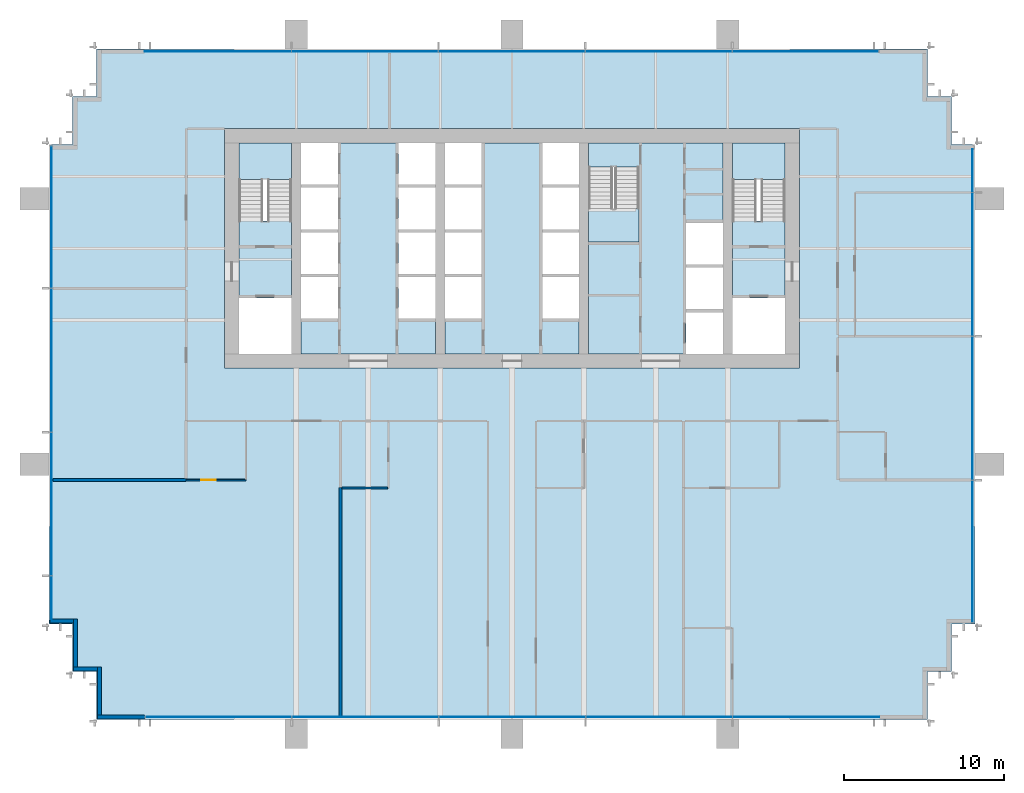
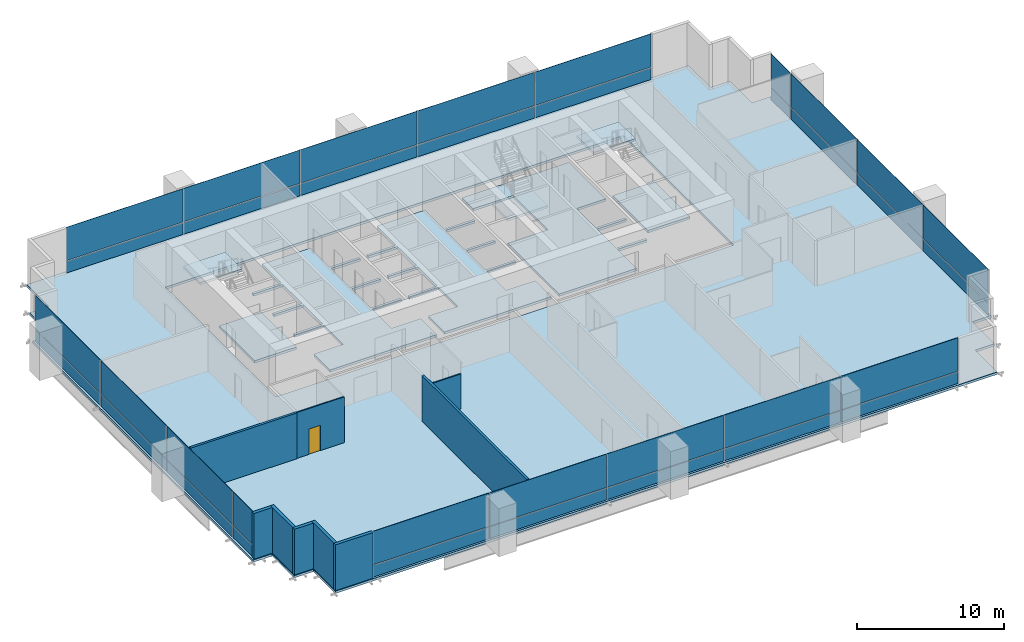
# One storey, part 9 of 14: 36 plates, 9 slabs, 9 walls, 1 door, 1 opening, 7 elements without a shape of their own.
"""IFC4 building model written with IfcOpenShell, lengths in metres."""

import ifcopenshell
import ifcopenshell.guid

model = None  # the IFC model being written
_history = None  # IfcOwnerHistory: only IFC2X3 demands one
_inside = {}  # id of a spatial element -> (the spatial element, [elements in it])
_under = {}  # id of a project, library or spatial element -> (it, [spatial elements below it])
_declared = {}  # id of a project -> (the project, [libraries it declares])
_typed = {}  # id of a type object -> (the type object, [elements of that type])
_made_of = {}  # id of a material, layer set ... -> (it, [elements and type objects made of it])


def new_model(schema):
    """Start an empty IFC model of exactly this schema.

    Asked for "IFC4X3", IfcOpenShell would pick the latest addendum, in which some entities
    have other attributes; the version numbers below select the first issue.
    IFC2X3 requires an IfcOwnerHistory on every rooted entity: one is made here for all.
    """
    global model, _history
    if schema == "IFC4X3":
        model = ifcopenshell.file(schema_version=(4, 3, 0, 0))
    else:
        model = ifcopenshell.file(schema=schema)
    _inside.clear()
    _under.clear()
    _declared.clear()
    _typed.clear()
    _made_of.clear()
    _history = None
    if model.schema == "IFC2X3":
        org = make("IfcOrganization", Name="unknown")
        user = make(
            "IfcPersonAndOrganization",
            ThePerson=make("IfcPerson", FamilyName="unknown"),
            TheOrganization=org,
        )
        app = make(
            "IfcApplication",
            ApplicationDeveloper=org,
            Version="unknown",
            ApplicationFullName="unknown",
            ApplicationIdentifier="unknown",
        )
        _history = make(
            "IfcOwnerHistory",
            OwningUser=user,
            OwningApplication=app,
            ChangeAction="ADDED",
            CreationDate=0,
        )
    return model


def make(cls, **values):
    """One entity of the class cls with the attributes given. An attribute that is None is left unset."""
    return model.create_entity(
        cls, **{name: value for name, value in values.items() if value is not None}
    )


def rooted(cls, **values):
    """An entity with a GlobalId (a new one), such as an element, a storey or a relation."""
    return make(cls, GlobalId=ifcopenshell.guid.new(), OwnerHistory=_history, **values)


def si_unit(unit_type, name, prefix=None):
    """IfcSIUnit, for example si_unit("LENGTHUNIT", "METRE", prefix="MILLI")."""
    return make("IfcSIUnit", UnitType=unit_type, Prefix=prefix, Name=name)


def assignment(units):
    """IfcUnitAssignment: the units of a project."""
    return None if units is None else make("IfcUnitAssignment", Units=units)


def point(xyz):
    """IfcCartesianPoint."""
    return None if xyz is None else make("IfcCartesianPoint", Coordinates=xyz)


def direction(xyz):
    """IfcDirection."""
    return None if xyz is None else make("IfcDirection", DirectionRatios=xyz)


def frame(location, z_axis=None, x_axis=None):
    """IfcAxis2Placement3D, a coordinate frame: its origin and axes. An axis left out is left unset."""
    return make(
        "IfcAxis2Placement3D",
        Location=point(location),
        Axis=direction(z_axis),
        RefDirection=direction(x_axis),
    )


def frame_2d(location, x_axis=None):
    """IfcAxis2Placement2D, a coordinate frame in the plane: its origin and x axis."""
    return make(
        "IfcAxis2Placement2D", Location=point(location), RefDirection=direction(x_axis)
    )


def origin():
    """The frame at (0, 0, 0) with its axes left unset."""
    return frame((0.0, 0.0, 0.0))


def origin_2d():
    """The frame at (0, 0) in the plane with its x axis left unset."""
    return frame_2d((0.0, 0.0))


def place(relative_to, where):
    """IfcLocalPlacement: puts the frame where relative to a parent placement (None: the world)."""
    return make(
        "IfcLocalPlacement", PlacementRelTo=relative_to, RelativePlacement=where
    )


def context(
    kind, dimensions, precision=None, world=None, true_north=None, identifier=None
):
    """IfcGeometricRepresentationContext, for example the 3D "Model" context."""
    return make(
        "IfcGeometricRepresentationContext",
        ContextIdentifier=identifier,
        ContextType=kind,
        CoordinateSpaceDimension=dimensions,
        Precision=precision,
        WorldCoordinateSystem=world,
        TrueNorth=true_north,
    )


def subcontext(parent, identifier, kind, view, scale=None):
    """IfcGeometricRepresentationSubContext, for example "Body" below "Model"."""
    return make(
        "IfcGeometricRepresentationSubContext",
        ContextIdentifier=identifier,
        ContextType=kind,
        ParentContext=parent,
        TargetScale=scale,
        TargetView=view,
    )


def project(units=None, contexts=None):
    """IfcProject with its units and contexts."""
    return rooted(
        "IfcProject",
        Name="project",
        RepresentationContexts=contexts,
        UnitsInContext=assignment(units),
    )


def spatial(cls, under=None, at=None, **own):
    """A site, building, storey or space (cls), placed at a placement, below another one or the project."""
    s = rooted(cls, ObjectPlacement=at, **own)
    if under is not None:
        _under.setdefault(under.id(), (under, []))[1].append(s)
    return s


def polyline(points):
    """IfcPolyline through the points."""
    return make("IfcPolyline", Points=[point(p) for p in points])


def profile(cls, at=None, kind="AREA", **sizes):
    """A parametric profile (cls). Its sizes go by their IFC names, for example OverallWidth=200.0."""
    return make(cls, ProfileType=kind, Position=at, **sizes)


def rectangle(**sizes):
    """IfcRectangleProfileDef."""
    return profile("IfcRectangleProfileDef", **sizes)


def outline(outer, holes=None, kind="AREA"):
    """IfcArbitraryClosedProfileDef: a profile drawn as a closed curve; with holes, ...WithVoids."""
    if holes is None:
        return make("IfcArbitraryClosedProfileDef", ProfileType=kind, OuterCurve=outer)
    return make(
        "IfcArbitraryProfileDefWithVoids",
        ProfileType=kind,
        OuterCurve=outer,
        InnerCurves=holes,
    )


def extrude(swept, where, along, depth):
    """IfcExtrudedAreaSolid: the profile swept, set in the frame where, extruded along a direction by depth."""
    return make(
        "IfcExtrudedAreaSolid",
        SweptArea=swept,
        Position=where,
        ExtrudedDirection=direction(along),
        Depth=depth,
    )


def shape(context_of_items, identifier, shape_type, items):
    """IfcShapeRepresentation: the items that make up one representation, for example the "Body"."""
    return make(
        "IfcShapeRepresentation",
        ContextOfItems=context_of_items,
        RepresentationIdentifier=identifier,
        RepresentationType=shape_type,
        Items=items,
    )


def material(Name=None, Category=None):
    """IfcMaterial."""
    return make("IfcMaterial", Name=Name, Category=Category)


def layer(
    of_material, thickness, ventilated=None, Name=None, Category=None, Priority=None
):
    """IfcMaterialLayer: one layer of a wall or slab, of a material (None: an air gap)."""
    return make(
        "IfcMaterialLayer",
        Material=of_material,
        LayerThickness=thickness,
        IsVentilated=ventilated,
        Name=Name,
        Category=Category,
        Priority=Priority,
    )


def layer_set(layers, Name=None):
    """IfcMaterialLayerSet."""
    return make("IfcMaterialLayerSet", MaterialLayers=layers, LayerSetName=Name)


def made_of(thing, what):
    """Note that an element or type object is made of a material, layer set ...; save() writes the relation."""
    if what is not None:
        _made_of.setdefault(what.id(), (what, []))[1].append(thing)
    return thing


def type_object(cls, material=None, **own):
    """A type object (cls), such as IfcWallType, which elements share."""
    return made_of(rooted(cls, **own), material)


def element(
    cls,
    number,
    at=None,
    inside=None,
    cuts=None,
    type_object=None,
    material=None,
    context=None,
    identifier="Body",
    shape_type=None,
    held_by="IfcProductDefinitionShape",
    body=None,
    shapes=None,
    **own,
):
    """One element of the class cls, such as IfcWall. Its Tag is "e" and its number.

    at: its placement. inside: the storey or other place that contains it. cuts: it is an
    opening in that element (IfcRelVoidsElement). A single representation is given by context,
    identifier, shape_type and body (its items); several are given by shapes. held_by: the class
    of the entity that holds the representations. save() writes the other relations.
    """
    e = rooted(cls, Tag="e%d" % number, ObjectPlacement=at, **own)
    if body is not None:
        shapes = [shape(context, identifier, shape_type, body)]
    if shapes is not None:
        e.Representation = make(held_by, Representations=shapes)
    if inside is not None:
        _inside.setdefault(inside.id(), (inside, []))[1].append(e)
    if cuts is not None:
        rooted(
            "IfcRelVoidsElement", RelatingBuildingElement=cuts, RelatedOpeningElement=e
        )
    if type_object is not None:
        _typed.setdefault(type_object.id(), (type_object, []))[1].append(e)
    return made_of(e, material)


def fill(opening, filler):
    """IfcRelFillsElement: the door or window that sits in an opening."""
    return rooted(
        "IfcRelFillsElement",
        RelatingOpeningElement=opening,
        RelatedBuildingElement=filler,
    )


def aggregate(whole, parts):
    """IfcRelAggregates: a whole, such as a stair, and the parts it consists of."""
    return rooted("IfcRelAggregates", RelatingObject=whole, RelatedObjects=parts)


def save(model, path):
    """Write the relations noted so far, then the file.

    IfcRelAggregates (storeys below a building ...), IfcRelContainedInSpatialStructure (elements
    in a storey), IfcRelDefinesByType, IfcRelAssociatesMaterial and IfcRelDeclares: one each for
    every whole, place, type object, material and project.
    """
    for whole, parts in _under.values():
        aggregate(whole, parts)
    for where, things in _inside.values():
        rooted(
            "IfcRelContainedInSpatialStructure",
            RelatedElements=things,
            RelatingStructure=where,
        )
    for kind, things in _typed.values():
        rooted("IfcRelDefinesByType", RelatedObjects=things, RelatingType=kind)
    for what, things in _made_of.values():
        rooted("IfcRelAssociatesMaterial", RelatedObjects=things, RelatingMaterial=what)
    for by, libraries in _declared.values():
        rooted("IfcRelDeclares", RelatingContext=by, RelatedDefinitions=libraries)
    model.write(path)


model = new_model("IFC4")

# Units and contexts
model_context = context("Model", 3, precision=1e-05, world=origin(), true_north=direction((0.0, 1.0)))
body_context = subcontext(model_context, "Body", "Model", "MODEL_VIEW")
ifc_project = project(units=[si_unit("LENGTHUNIT", "METRE"), si_unit("AREAUNIT", "SQUARE_METRE"), si_unit("VOLUMEUNIT", "CUBIC_METRE"), si_unit("PLANEANGLEUNIT", "RADIAN"), si_unit("MASSUNIT", "GRAM", prefix="KILO")], contexts=[model_context])

# Site, building, storey
site_placement = place(None, origin())
site = spatial("IfcSite", under=ifc_project, at=site_placement, CompositionType="ELEMENT")
building_placement = place(site_placement, origin())
building = spatial("IfcBuilding", under=site, at=building_placement, Name="Rattan Terrace Tower", CompositionType="ELEMENT")
storey_placement = place(building_placement, frame((0.0, 0.0, 154.10009765625)))
storey = spatial("IfcBuildingStorey", under=building, at=storey_placement, Name="L35", CompositionType="ELEMENT", Elevation=154.10009765625)

# Stair, slab
ifc_material_1 = material(Name="Concrete C40/50", Category="concrete")
stair_type = type_object("IfcStairType", Name="Core exit stair 1500", PredefinedType="HALF_TURN_STAIR", material=ifc_material_1)
stair_1_placement = place(storey_placement, origin())
stair_1 = element("IfcStair", 1, at=stair_1_placement, inside=storey, type_object=stair_type, Name="L35 exit stair 1", PredefinedType="HALF_TURN_STAIR")
ifc_material_2 = material(Name="Concrete C40/50", Category="concrete")
ifc_layer_1 = layer(ifc_material_2, 0.199951171875)
ifc_layer_set_1 = layer_set([ifc_layer_1], Name="Core exit stair landing")
slab_type_1 = type_object("IfcSlabType", Name="Core exit stair landing", PredefinedType="LANDING", material=ifc_layer_set_1)
slab_1_placement = place(storey_placement, frame((0.0, 0.0, 1.7998046875)))
slab_1 = element("IfcSlab", 2, at=slab_1_placement, type_object=slab_type_1, Name="S1 landing 1", PredefinedType="LANDING", context=body_context, shape_type="SweptSolid", body=[
    extrude(outline(polyline([(-13.800048828125, 4.300048828125), (-13.800048828125, 6.60009765625), (-17.10009765625, 6.60009765625), (-17.10009765625, 4.300048828125), (-13.800048828125, 4.300048828125)])), origin(), (0.0, 0.0, 1.0), 0.2001953125),
])
aggregate(stair_1, [slab_1])

stair_2_placement = place(storey_placement, origin())
stair_2 = element("IfcStair", 3, at=stair_2_placement, inside=storey, type_object=stair_type, Name="L35 exit stair 2", PredefinedType="HALF_TURN_STAIR")
slab_2_placement = place(storey_placement, frame((0.0, 0.0, 1.7998046875)))
slab_2 = element("IfcSlab", 4, at=slab_2_placement, type_object=slab_type_1, Name="S2 landing 1", PredefinedType="LANDING", context=body_context, shape_type="SweptSolid", body=[
    extrude(outline(polyline([(17.10009765625, 4.300048828125), (17.10009765625, 6.60009765625), (13.800048828125, 6.60009765625), (13.800048828125, 4.300048828125), (17.10009765625, 4.300048828125)])), origin(), (0.0, 0.0, 1.0), 0.2001953125),
])
aggregate(stair_2, [slab_2])

stair_3_placement = place(storey_placement, origin())
stair_3 = element("IfcStair", 5, at=stair_3_placement, inside=storey, type_object=stair_type, Name="L35 exit stair 3", PredefinedType="HALF_TURN_STAIR")
slab_3_placement = place(storey_placement, frame((0.0, 0.0, 1.7998046875)))
slab_3 = element("IfcSlab", 6, at=slab_3_placement, type_object=slab_type_1, Name="S3 landing 1", PredefinedType="LANDING", context=body_context, shape_type="SweptSolid", body=[
    extrude(outline(polyline([(4.800048828125, 2.5), (4.800048828125, 0.39990234375), (7.949951171875, 0.39990234375), (7.949951171875, 2.5), (4.800048828125, 2.5)])), origin(), (0.0, 0.0, 1.0), 0.2001953125),
])
aggregate(stair_3, [slab_3])

# Curtain wall, plates
ifc_material_3 = material(Name="Aluminium and glass", Category="aluminium")
curtain_wall_type = type_object("IfcCurtainWallType", Name="Facade Unitised Curtain Wall", PredefinedType="NOTDEFINED", material=ifc_material_3)
curtain_wall_1_placement = place(storey_placement, origin())
curtain_wall_1 = element("IfcCurtainWall", 7, at=curtain_wall_1_placement, inside=storey, type_object=curtain_wall_type, Name="Curtain wall L35-1", PredefinedType="NOTDEFINED")
ifc_material_4 = material(Name="Aluminium insulated spandrel panel", Category="aluminium")
ifc_layer_2 = layer(ifc_material_4, 0.028076171875)
ifc_layer_set_2 = layer_set([ifc_layer_2], Name="Facade CW Spandrel Panel")
plate_type_1 = type_object("IfcPlateType", Name="Facade CW Spandrel Panel", PredefinedType="CURTAIN_PANEL", material=ifc_layer_set_2)
plate_1_placement = place(storey_placement, frame((28.830078125, -18.96240234375, 0.0), z_axis=(0.0, 0.0, 1.0), x_axis=(0.0, 1.0, 0.0)))
plate_1 = element("IfcPlate", 8, at=plate_1_placement, type_object=plate_type_1, Name="Panel cwl-L35-001.1.1", PredefinedType="CURTAIN_PANEL", context=body_context, shape_type="SweptSolid", body=[
    extrude(rectangle(XDim=8.864990234375, YDim=0.028076171875, at=origin_2d()), origin(), (0.0, 0.0, 1.0), 0.969970703125),
])
plate_2_placement = place(storey_placement, frame((28.830078125, -10.0, 0.0), z_axis=(0.0, 0.0, 1.0), x_axis=(0.0, 1.0, 0.0)))
plate_2 = element("IfcPlate", 9, at=plate_2_placement, type_object=plate_type_1, Name="Panel cwl-L35-001.2.1", PredefinedType="CURTAIN_PANEL", context=body_context, shape_type="SweptSolid", body=[
    extrude(rectangle(XDim=8.93994140625, YDim=0.028076171875, at=origin_2d()), origin(), (0.0, 0.0, 1.0), 0.969970703125),
])
plate_3_placement = place(storey_placement, frame((28.830078125, -1.0, 0.0), z_axis=(0.0, 0.0, 1.0), x_axis=(0.0, 1.0, 0.0)))
plate_3 = element("IfcPlate", 10, at=plate_3_placement, type_object=plate_type_1, Name="Panel cwl-L35-001.3.1", PredefinedType="CURTAIN_PANEL", context=body_context, shape_type="SweptSolid", body=[
    extrude(rectangle(XDim=8.93994140625, YDim=0.028076171875, at=origin_2d()), origin(), (0.0, 0.0, 1.0), 0.969970703125),
])
plate_4_placement = place(storey_placement, frame((28.830078125, 4.867431640625, 0.0), z_axis=(0.0, 0.0, 1.0), x_axis=(0.0, 1.0, 0.0)))
plate_4 = element("IfcPlate", 11, at=plate_4_placement, type_object=plate_type_1, Name="Panel cwl-L35-001.4.1", PredefinedType="CURTAIN_PANEL", context=body_context, shape_type="SweptSolid", body=[
    extrude(rectangle(XDim=2.675048828125, YDim=0.028076171875, at=origin_2d()), origin(), (0.0, 0.0, 1.0), 0.969970703125),
])

curtain_wall_2_placement = place(storey_placement, origin())
curtain_wall_2 = element("IfcCurtainWall", 12, at=curtain_wall_2_placement, inside=storey, type_object=curtain_wall_type, Name="Curtain wall L35-2", PredefinedType="NOTDEFINED")
plate_5_placement = place(storey_placement, frame((18.384521484375, 12.330078125, 0.0), z_axis=(0.0, 0.0, 1.0), x_axis=(-1.0, 0.0, 0.0)))
plate_5 = element("IfcPlate", 13, at=plate_5_placement, type_object=plate_type_1, Name="Panel cwl-L35-002.1.1", PredefinedType="CURTAIN_PANEL", context=body_context, shape_type="SweptSolid", body=[
    extrude(rectangle(XDim=9.111083984375, YDim=0.028076171875, at=origin_2d()), origin(), (0.0, 0.0, 1.0), 0.969970703125),
])
plate_6_placement = place(storey_placement, frame((9.198486328125, 12.330078125, 0.0), z_axis=(0.0, 0.0, 1.0), x_axis=(-1.0, 0.0, 0.0)))
plate_6 = element("IfcPlate", 14, at=plate_6_placement, type_object=plate_type_1, Name="Panel cwl-L35-002.2.1", PredefinedType="CURTAIN_PANEL", context=body_context, shape_type="SweptSolid", body=[
    extrude(rectangle(XDim=9.14111328125, YDim=0.028076171875, at=origin_2d()), origin(), (0.0, 0.0, 1.0), 0.969970703125),
])
plate_7_placement = place(storey_placement, frame((-0.00244140625, 12.330078125, 0.0), z_axis=(0.0, 0.0, 1.0), x_axis=(-1.0, 0.0, 0.0)))
plate_7 = element("IfcPlate", 15, at=plate_7_placement, type_object=plate_type_1, Name="Panel cwl-L35-002.3.1", PredefinedType="CURTAIN_PANEL", context=body_context, shape_type="SweptSolid", body=[
    extrude(rectangle(XDim=9.14111328125, YDim=0.028076171875, at=origin_2d()), origin(), (0.0, 0.0, 1.0), 0.969970703125),
])
plate_8_placement = place(storey_placement, frame((-9.20361328125, 12.330078125, 0.0), z_axis=(0.0, 0.0, 1.0), x_axis=(-1.0, 0.0, 0.0)))
plate_8 = element("IfcPlate", 16, at=plate_8_placement, type_object=plate_type_1, Name="Panel cwl-L35-002.4.1", PredefinedType="CURTAIN_PANEL", context=body_context, shape_type="SweptSolid", body=[
    extrude(rectangle(XDim=9.14111328125, YDim=0.028076171875, at=origin_2d()), origin(), (0.0, 0.0, 1.0), 0.969970703125),
])
plate_9_placement = place(storey_placement, frame((-18.4169921875, 12.330078125, 0.0), z_axis=(0.0, 0.0, 1.0), x_axis=(-1.0, 0.0, 0.0)))
plate_9 = element("IfcPlate", 17, at=plate_9_placement, type_object=plate_type_1, Name="Panel cwl-L35-002.5.1", PredefinedType="CURTAIN_PANEL", context=body_context, shape_type="SweptSolid", body=[
    extrude(rectangle(XDim=9.166015625, YDim=0.028076171875, at=origin_2d()), origin(), (0.0, 0.0, 1.0), 0.969970703125),
])

curtain_wall_3_placement = place(storey_placement, origin())
curtain_wall_3 = element("IfcCurtainWall", 18, at=curtain_wall_3_placement, inside=storey, type_object=curtain_wall_type, Name="Curtain wall L35-3", PredefinedType="NOTDEFINED")
plate_10_placement = place(storey_placement, frame((-28.830078125, 1.96240234375, 0.0), z_axis=(0.0, 0.0, 1.0), x_axis=(0.0, -1.0, 0.0)))
plate_10 = element("IfcPlate", 19, at=plate_10_placement, type_object=plate_type_1, Name="Panel cwl-L35-003.1.1", PredefinedType="CURTAIN_PANEL", context=body_context, shape_type="SweptSolid", body=[
    extrude(rectangle(XDim=8.864990234375, YDim=0.028076171875, at=origin_2d()), origin(), (0.0, 0.0, 1.0), 0.969970703125),
])
plate_11_placement = place(storey_placement, frame((-28.830078125, -7.0, 0.0), z_axis=(0.0, 0.0, 1.0), x_axis=(0.0, -1.0, 0.0)))
plate_11 = element("IfcPlate", 20, at=plate_11_placement, type_object=plate_type_1, Name="Panel cwl-L35-003.2.1", PredefinedType="CURTAIN_PANEL", context=body_context, shape_type="SweptSolid", body=[
    extrude(rectangle(XDim=8.93994140625, YDim=0.028076171875, at=origin_2d()), origin(), (0.0, 0.0, 1.0), 0.969970703125),
])
plate_12_placement = place(storey_placement, frame((-28.830078125, -16.0, 0.0), z_axis=(0.0, 0.0, 1.0), x_axis=(0.0, -1.0, 0.0)))
plate_12 = element("IfcPlate", 21, at=plate_12_placement, type_object=plate_type_1, Name="Panel cwl-L35-003.3.1", PredefinedType="CURTAIN_PANEL", context=body_context, shape_type="SweptSolid", body=[
    extrude(rectangle(XDim=8.93994140625, YDim=0.028076171875, at=origin_2d()), origin(), (0.0, 0.0, 1.0), 0.969970703125),
])
plate_13_placement = place(storey_placement, frame((-28.830078125, -21.867431640625, 0.0), z_axis=(0.0, 0.0, 1.0), x_axis=(0.0, -1.0, 0.0)))
plate_13 = element("IfcPlate", 22, at=plate_13_placement, type_object=plate_type_1, Name="Panel cwl-L35-003.4.1", PredefinedType="CURTAIN_PANEL", context=body_context, shape_type="SweptSolid", body=[
    extrude(rectangle(XDim=2.675048828125, YDim=0.028076171875, at=origin_2d()), origin(), (0.0, 0.0, 1.0), 0.969970703125),
])

curtain_wall_4_placement = place(storey_placement, origin())
curtain_wall_4 = element("IfcCurtainWall", 23, at=curtain_wall_4_placement, inside=storey, type_object=curtain_wall_type, Name="Curtain wall L35-4", PredefinedType="NOTDEFINED")
plate_14_placement = place(storey_placement, frame((-18.384521484375, -29.330078125, 0.0), z_axis=(0.0, 0.0, 1.0), x_axis=(1.0, 0.0, 0.0)))
plate_14 = element("IfcPlate", 24, at=plate_14_placement, type_object=plate_type_1, Name="Panel cwl-L35-004.1.1", PredefinedType="CURTAIN_PANEL", context=body_context, shape_type="SweptSolid", body=[
    extrude(rectangle(XDim=9.111083984375, YDim=0.028076171875, at=origin_2d()), origin(), (0.0, 0.0, 1.0), 0.969970703125),
])
plate_15_placement = place(storey_placement, frame((-9.198486328125, -29.330078125, 0.0), z_axis=(0.0, 0.0, 1.0), x_axis=(1.0, 0.0, 0.0)))
plate_15 = element("IfcPlate", 25, at=plate_15_placement, type_object=plate_type_1, Name="Panel cwl-L35-004.2.1", PredefinedType="CURTAIN_PANEL", context=body_context, shape_type="SweptSolid", body=[
    extrude(rectangle(XDim=9.14111328125, YDim=0.028076171875, at=origin_2d()), origin(), (0.0, 0.0, 1.0), 0.969970703125),
])
plate_16_placement = place(storey_placement, frame((0.00244140625, -29.330078125, 0.0), z_axis=(0.0, 0.0, 1.0), x_axis=(1.0, 0.0, 0.0)))
plate_16 = element("IfcPlate", 26, at=plate_16_placement, type_object=plate_type_1, Name="Panel cwl-L35-004.3.1", PredefinedType="CURTAIN_PANEL", context=body_context, shape_type="SweptSolid", body=[
    extrude(rectangle(XDim=9.14111328125, YDim=0.028076171875, at=origin_2d()), origin(), (0.0, 0.0, 1.0), 0.969970703125),
])
plate_17_placement = place(storey_placement, frame((9.20361328125, -29.330078125, 0.0), z_axis=(0.0, 0.0, 1.0), x_axis=(1.0, 0.0, 0.0)))
plate_17 = element("IfcPlate", 27, at=plate_17_placement, type_object=plate_type_1, Name="Panel cwl-L35-004.4.1", PredefinedType="CURTAIN_PANEL", context=body_context, shape_type="SweptSolid", body=[
    extrude(rectangle(XDim=9.14111328125, YDim=0.028076171875, at=origin_2d()), origin(), (0.0, 0.0, 1.0), 0.969970703125),
])
plate_18_placement = place(storey_placement, frame((18.4169921875, -29.330078125, 0.0), z_axis=(0.0, 0.0, 1.0), x_axis=(1.0, 0.0, 0.0)))
plate_18 = element("IfcPlate", 28, at=plate_18_placement, type_object=plate_type_1, Name="Panel cwl-L35-004.5.1", PredefinedType="CURTAIN_PANEL", context=body_context, shape_type="SweptSolid", body=[
    extrude(rectangle(XDim=9.166015625, YDim=0.028076171875, at=origin_2d()), origin(), (0.0, 0.0, 1.0), 0.969970703125),
])

# Plate
ifc_material_5 = material(Name="Clear low-iron glass", Category="glass")
ifc_layer_3 = layer(ifc_material_5, 0.028076171875)
ifc_layer_set_3 = layer_set([ifc_layer_3], Name="Facade CW Vision Panel")
plate_type_2 = type_object("IfcPlateType", Name="Facade CW Vision Panel", PredefinedType="CURTAIN_PANEL", material=ifc_layer_set_3)
plate_19_placement = place(storey_placement, frame((28.830078125, -18.96240234375, 1.02978515625), z_axis=(0.0, 0.0, 1.0), x_axis=(0.0, 1.0, 0.0)))
plate_19 = element("IfcPlate", 29, at=plate_19_placement, type_object=plate_type_2, Name="Panel cwl-L35-001.1.2", PredefinedType="CURTAIN_PANEL", context=body_context, shape_type="SweptSolid", body=[
    extrude(rectangle(XDim=8.864990234375, YDim=0.028076171875, at=origin_2d()), origin(), (0.0, 0.0, 1.0), 2.77001953125),
])

plate_20_placement = place(storey_placement, frame((28.830078125, -10.0, 1.02978515625), z_axis=(0.0, 0.0, 1.0), x_axis=(0.0, 1.0, 0.0)))
plate_20 = element("IfcPlate", 30, at=plate_20_placement, type_object=plate_type_2, Name="Panel cwl-L35-001.2.2", PredefinedType="CURTAIN_PANEL", context=body_context, shape_type="SweptSolid", body=[
    extrude(rectangle(XDim=8.93994140625, YDim=0.028076171875, at=origin_2d()), origin(), (0.0, 0.0, 1.0), 2.77001953125),
])

plate_21_placement = place(storey_placement, frame((28.830078125, -1.0, 1.02978515625), z_axis=(0.0, 0.0, 1.0), x_axis=(0.0, 1.0, 0.0)))
plate_21 = element("IfcPlate", 31, at=plate_21_placement, type_object=plate_type_2, Name="Panel cwl-L35-001.3.2", PredefinedType="CURTAIN_PANEL", context=body_context, shape_type="SweptSolid", body=[
    extrude(rectangle(XDim=8.93994140625, YDim=0.028076171875, at=origin_2d()), origin(), (0.0, 0.0, 1.0), 2.77001953125),
])

plate_22_placement = place(storey_placement, frame((28.830078125, 4.867431640625, 1.02978515625), z_axis=(0.0, 0.0, 1.0), x_axis=(0.0, 1.0, 0.0)))
plate_22 = element("IfcPlate", 32, at=plate_22_placement, type_object=plate_type_2, Name="Panel cwl-L35-001.4.2", PredefinedType="CURTAIN_PANEL", context=body_context, shape_type="SweptSolid", body=[
    extrude(rectangle(XDim=2.675048828125, YDim=0.028076171875, at=origin_2d()), origin(), (0.0, 0.0, 1.0), 2.77001953125),
])

aggregate(curtain_wall_1, [plate_1, plate_19, plate_2, plate_20, plate_3, plate_21, plate_4, plate_22])

plate_23_placement = place(storey_placement, frame((18.384521484375, 12.330078125, 1.02978515625), z_axis=(0.0, 0.0, 1.0), x_axis=(-1.0, 0.0, 0.0)))
plate_23 = element("IfcPlate", 33, at=plate_23_placement, type_object=plate_type_2, Name="Panel cwl-L35-002.1.2", PredefinedType="CURTAIN_PANEL", context=body_context, shape_type="SweptSolid", body=[
    extrude(rectangle(XDim=9.111083984375, YDim=0.028076171875, at=origin_2d()), origin(), (0.0, 0.0, 1.0), 2.77001953125),
])

plate_24_placement = place(storey_placement, frame((9.198486328125, 12.330078125, 1.02978515625), z_axis=(0.0, 0.0, 1.0), x_axis=(-1.0, 0.0, 0.0)))
plate_24 = element("IfcPlate", 34, at=plate_24_placement, type_object=plate_type_2, Name="Panel cwl-L35-002.2.2", PredefinedType="CURTAIN_PANEL", context=body_context, shape_type="SweptSolid", body=[
    extrude(rectangle(XDim=9.14111328125, YDim=0.028076171875, at=origin_2d()), origin(), (0.0, 0.0, 1.0), 2.77001953125),
])

plate_25_placement = place(storey_placement, frame((-0.00244140625, 12.330078125, 1.02978515625), z_axis=(0.0, 0.0, 1.0), x_axis=(-1.0, 0.0, 0.0)))
plate_25 = element("IfcPlate", 35, at=plate_25_placement, type_object=plate_type_2, Name="Panel cwl-L35-002.3.2", PredefinedType="CURTAIN_PANEL", context=body_context, shape_type="SweptSolid", body=[
    extrude(rectangle(XDim=9.14111328125, YDim=0.028076171875, at=origin_2d()), origin(), (0.0, 0.0, 1.0), 2.77001953125),
])

plate_26_placement = place(storey_placement, frame((-9.20361328125, 12.330078125, 1.02978515625), z_axis=(0.0, 0.0, 1.0), x_axis=(-1.0, 0.0, 0.0)))
plate_26 = element("IfcPlate", 36, at=plate_26_placement, type_object=plate_type_2, Name="Panel cwl-L35-002.4.2", PredefinedType="CURTAIN_PANEL", context=body_context, shape_type="SweptSolid", body=[
    extrude(rectangle(XDim=9.14111328125, YDim=0.028076171875, at=origin_2d()), origin(), (0.0, 0.0, 1.0), 2.77001953125),
])

plate_27_placement = place(storey_placement, frame((-18.4169921875, 12.330078125, 1.02978515625), z_axis=(0.0, 0.0, 1.0), x_axis=(-1.0, 0.0, 0.0)))
plate_27 = element("IfcPlate", 37, at=plate_27_placement, type_object=plate_type_2, Name="Panel cwl-L35-002.5.2", PredefinedType="CURTAIN_PANEL", context=body_context, shape_type="SweptSolid", body=[
    extrude(rectangle(XDim=9.166015625, YDim=0.028076171875, at=origin_2d()), origin(), (0.0, 0.0, 1.0), 2.77001953125),
])

aggregate(curtain_wall_2, [plate_5, plate_23, plate_6, plate_24, plate_7, plate_25, plate_8, plate_26, plate_9, plate_27])

plate_28_placement = place(storey_placement, frame((-28.830078125, 1.96240234375, 1.02978515625), z_axis=(0.0, 0.0, 1.0), x_axis=(0.0, -1.0, 0.0)))
plate_28 = element("IfcPlate", 38, at=plate_28_placement, type_object=plate_type_2, Name="Panel cwl-L35-003.1.2", PredefinedType="CURTAIN_PANEL", context=body_context, shape_type="SweptSolid", body=[
    extrude(rectangle(XDim=8.864990234375, YDim=0.028076171875, at=origin_2d()), origin(), (0.0, 0.0, 1.0), 2.77001953125),
])

plate_29_placement = place(storey_placement, frame((-28.830078125, -7.0, 1.02978515625), z_axis=(0.0, 0.0, 1.0), x_axis=(0.0, -1.0, 0.0)))
plate_29 = element("IfcPlate", 39, at=plate_29_placement, type_object=plate_type_2, Name="Panel cwl-L35-003.2.2", PredefinedType="CURTAIN_PANEL", context=body_context, shape_type="SweptSolid", body=[
    extrude(rectangle(XDim=8.93994140625, YDim=0.028076171875, at=origin_2d()), origin(), (0.0, 0.0, 1.0), 2.77001953125),
])

plate_30_placement = place(storey_placement, frame((-28.830078125, -16.0, 1.02978515625), z_axis=(0.0, 0.0, 1.0), x_axis=(0.0, -1.0, 0.0)))
plate_30 = element("IfcPlate", 40, at=plate_30_placement, type_object=plate_type_2, Name="Panel cwl-L35-003.3.2", PredefinedType="CURTAIN_PANEL", context=body_context, shape_type="SweptSolid", body=[
    extrude(rectangle(XDim=8.93994140625, YDim=0.028076171875, at=origin_2d()), origin(), (0.0, 0.0, 1.0), 2.77001953125),
])

plate_31_placement = place(storey_placement, frame((-28.830078125, -21.867431640625, 1.02978515625), z_axis=(0.0, 0.0, 1.0), x_axis=(0.0, -1.0, 0.0)))
plate_31 = element("IfcPlate", 41, at=plate_31_placement, type_object=plate_type_2, Name="Panel cwl-L35-003.4.2", PredefinedType="CURTAIN_PANEL", context=body_context, shape_type="SweptSolid", body=[
    extrude(rectangle(XDim=2.675048828125, YDim=0.028076171875, at=origin_2d()), origin(), (0.0, 0.0, 1.0), 2.77001953125),
])

aggregate(curtain_wall_3, [plate_10, plate_28, plate_11, plate_29, plate_12, plate_30, plate_13, plate_31])

plate_32_placement = place(storey_placement, frame((-18.384521484375, -29.330078125, 1.02978515625), z_axis=(0.0, 0.0, 1.0), x_axis=(1.0, 0.0, 0.0)))
plate_32 = element("IfcPlate", 42, at=plate_32_placement, type_object=plate_type_2, Name="Panel cwl-L35-004.1.2", PredefinedType="CURTAIN_PANEL", context=body_context, shape_type="SweptSolid", body=[
    extrude(rectangle(XDim=9.111083984375, YDim=0.028076171875, at=origin_2d()), origin(), (0.0, 0.0, 1.0), 2.77001953125),
])

plate_33_placement = place(storey_placement, frame((-9.198486328125, -29.330078125, 1.02978515625), z_axis=(0.0, 0.0, 1.0), x_axis=(1.0, 0.0, 0.0)))
plate_33 = element("IfcPlate", 43, at=plate_33_placement, type_object=plate_type_2, Name="Panel cwl-L35-004.2.2", PredefinedType="CURTAIN_PANEL", context=body_context, shape_type="SweptSolid", body=[
    extrude(rectangle(XDim=9.14111328125, YDim=0.028076171875, at=origin_2d()), origin(), (0.0, 0.0, 1.0), 2.77001953125),
])

plate_34_placement = place(storey_placement, frame((0.00244140625, -29.330078125, 1.02978515625), z_axis=(0.0, 0.0, 1.0), x_axis=(1.0, 0.0, 0.0)))
plate_34 = element("IfcPlate", 44, at=plate_34_placement, type_object=plate_type_2, Name="Panel cwl-L35-004.3.2", PredefinedType="CURTAIN_PANEL", context=body_context, shape_type="SweptSolid", body=[
    extrude(rectangle(XDim=9.14111328125, YDim=0.028076171875, at=origin_2d()), origin(), (0.0, 0.0, 1.0), 2.77001953125),
])

plate_35_placement = place(storey_placement, frame((9.20361328125, -29.330078125, 1.02978515625), z_axis=(0.0, 0.0, 1.0), x_axis=(1.0, 0.0, 0.0)))
plate_35 = element("IfcPlate", 45, at=plate_35_placement, type_object=plate_type_2, Name="Panel cwl-L35-004.4.2", PredefinedType="CURTAIN_PANEL", context=body_context, shape_type="SweptSolid", body=[
    extrude(rectangle(XDim=9.14111328125, YDim=0.028076171875, at=origin_2d()), origin(), (0.0, 0.0, 1.0), 2.77001953125),
])

plate_36_placement = place(storey_placement, frame((18.4169921875, -29.330078125, 1.02978515625), z_axis=(0.0, 0.0, 1.0), x_axis=(1.0, 0.0, 0.0)))
plate_36 = element("IfcPlate", 46, at=plate_36_placement, type_object=plate_type_2, Name="Panel cwl-L35-004.5.2", PredefinedType="CURTAIN_PANEL", context=body_context, shape_type="SweptSolid", body=[
    extrude(rectangle(XDim=9.166015625, YDim=0.028076171875, at=origin_2d()), origin(), (0.0, 0.0, 1.0), 2.77001953125),
])

aggregate(curtain_wall_4, [plate_14, plate_32, plate_15, plate_33, plate_16, plate_34, plate_17, plate_35, plate_18, plate_36])

# Slabs
ifc_material_6 = material(Name="Concrete C35/45", Category="concrete")
ifc_layer_4 = layer(ifc_material_6, 0.199951171875)
ifc_layer_set_4 = layer_set([ifc_layer_4], Name="Frame composite floor slab 200")
slab_type_2 = type_object("IfcSlabType", Name="Frame composite floor slab 200", PredefinedType="FLOOR", material=ifc_layer_set_4)
slab_4_placement = place(storey_placement, frame((0.0, 0.0, -0.2001953125)))
element("IfcSlab", 47, at=slab_4_placement, inside=storey, type_object=slab_type_2, Name="Floor slab", PredefinedType="FLOOR", context=body_context, shape_type="SweptSolid", body=[
    extrude(outline(polyline([(-23.0, -29.5), (23.0, -29.5), (26.0, -29.5), (26.0, -26.5), (27.5, -26.5), (27.5, -23.5), (29.0, -23.5), (29.0, 6.5), (27.5, 6.5), (27.5, 9.5), (26.0, 9.5), (26.0, 12.5), (23.0, 12.5), (-23.0, 12.5), (-26.0, 12.5), (-26.0, 9.5), (-27.5, 9.5), (-27.5, 6.5), (-29.0, 6.5), (-29.0, -23.5), (-27.5, -23.5), (-27.5, -26.5), (-26.0, -26.5), (-26.0, -29.5), (-23.0, -29.5)]), holes=[polyline([(-18.0, -6.60009765625), (-18.0, -7.5), (18.0, -7.5), (18.0, -6.60009765625), (18.0, 6.60009765625), (18.0, 7.5), (-18.0, 7.5), (-18.0, 6.60009765625), (-18.0, -6.60009765625)])]), origin(), (0.0, 0.0, 1.0), 0.2001953125),
])
slab_5_placement = place(storey_placement, frame((0.0, 0.0, -0.2001953125)))
element("IfcSlab", 48, at=slab_5_placement, inside=storey, type_object=slab_type_2, Name="Floor slab", PredefinedType="FLOOR", context=body_context, shape_type="SweptSolid", body=[
    extrude(outline(polyline([(-10.89990234375, 6.60009765625), (-10.89990234375, 4.0), (-13.199951171875, 4.0), (-13.199951171875, 3.800048828125), (-10.89990234375, 3.800048828125), (-10.89990234375, 1.199951171875), (-13.199951171875, 1.199951171875), (-13.199951171875, 1.0), (-10.89990234375, 1.0), (-10.89990234375, -1.60009765625), (-13.199951171875, -1.60009765625), (-13.199951171875, -1.800048828125), (-10.89990234375, -1.800048828125), (-10.89990234375, -4.39990234375), (-13.199951171875, -4.39990234375), (-13.199951171875, -6.60009765625), (-4.800048828125, -6.60009765625), (-4.800048828125, -4.39990234375), (-7.10009765625, -4.39990234375), (-7.10009765625, -1.800048828125), (-4.800048828125, -1.800048828125), (-4.800048828125, -1.60009765625), (-7.10009765625, -1.60009765625), (-7.10009765625, 1.0), (-4.800048828125, 1.0), (-4.800048828125, 1.199951171875), (-7.10009765625, 1.199951171875), (-7.10009765625, 3.800048828125), (-4.800048828125, 3.800048828125), (-4.800048828125, 4.0), (-7.10009765625, 4.0), (-7.10009765625, 6.60009765625), (-10.89990234375, 6.60009765625)])), origin(), (0.0, 0.0, 1.0), 0.2001953125),
])
slab_6_placement = place(storey_placement, frame((0.0, 0.0, -0.2001953125)))
element("IfcSlab", 49, at=slab_6_placement, inside=storey, type_object=slab_type_2, Name="Floor slab", PredefinedType="FLOOR", context=body_context, shape_type="SweptSolid", body=[
    extrude(outline(polyline([(-17.10009765625, -3.10009765625), (-13.800048828125, -3.10009765625), (-13.800048828125, 1.7099609375), (-17.10009765625, 1.7099609375), (-17.10009765625, -3.10009765625)])), origin(), (0.0, 0.0, 1.0), 0.2001953125),
])
slab_7_placement = place(storey_placement, frame((0.0, 0.0, -0.2001953125)))
element("IfcSlab", 50, at=slab_7_placement, inside=storey, type_object=slab_type_2, Name="Floor slab", PredefinedType="FLOOR", context=body_context, shape_type="SweptSolid", body=[
    extrude(outline(polyline([(-4.199951171875, 4.0), (-4.199951171875, 3.800048828125), (-1.89990234375, 3.800048828125), (-1.89990234375, 1.199951171875), (-4.199951171875, 1.199951171875), (-4.199951171875, 1.0), (-1.89990234375, 1.0), (-1.89990234375, -1.60009765625), (-4.199951171875, -1.60009765625), (-4.199951171875, -1.800048828125), (-1.89990234375, -1.800048828125), (-1.89990234375, -4.39990234375), (-4.199951171875, -4.39990234375), (-4.199951171875, -6.60009765625), (4.199951171875, -6.60009765625), (4.199951171875, -4.39990234375), (1.89990234375, -4.39990234375), (1.89990234375, -1.800048828125), (4.199951171875, -1.800048828125), (4.199951171875, -1.60009765625), (1.89990234375, -1.60009765625), (1.89990234375, 1.0), (4.199951171875, 1.0), (4.199951171875, 1.199951171875), (1.89990234375, 1.199951171875), (1.89990234375, 3.800048828125), (4.199951171875, 3.800048828125), (4.199951171875, 4.0), (1.89990234375, 4.0), (1.89990234375, 6.60009765625), (-1.89990234375, 6.60009765625), (-1.89990234375, 4.0), (-4.199951171875, 4.0)])), origin(), (0.0, 0.0, 1.0), 0.2001953125),
])
slab_8_placement = place(storey_placement, frame((0.0, 0.0, -0.2001953125)))
element("IfcSlab", 51, at=slab_8_placement, inside=storey, type_object=slab_type_2, Name="Floor slab", PredefinedType="FLOOR", context=body_context, shape_type="SweptSolid", body=[
    extrude(outline(polyline([(4.800048828125, 5.090087890625), (7.949951171875, 5.090087890625), (7.949951171875, 0.39990234375), (4.800048828125, 0.39990234375), (4.800048828125, -6.60009765625), (10.89990234375, -6.60009765625), (10.89990234375, -4.0), (13.199951171875, -4.0), (13.199951171875, -3.800048828125), (10.89990234375, -3.800048828125), (10.89990234375, -1.199951171875), (13.199951171875, -1.199951171875), (13.199951171875, -1.0), (10.89990234375, -1.0), (10.89990234375, 1.60009765625), (13.199951171875, 1.60009765625), (13.199951171875, 6.60009765625), (4.800048828125, 6.60009765625), (4.800048828125, 5.090087890625)])), origin(), (0.0, 0.0, 1.0), 0.2001953125),
])
slab_9_placement = place(storey_placement, frame((0.0, 0.0, -0.2001953125)))
element("IfcSlab", 52, at=slab_9_placement, inside=storey, type_object=slab_type_2, Name="Floor slab", PredefinedType="FLOOR", context=body_context, shape_type="SweptSolid", body=[
    extrude(outline(polyline([(13.800048828125, -3.10009765625), (17.10009765625, -3.10009765625), (17.10009765625, 1.7099609375), (13.800048828125, 1.7099609375), (13.800048828125, -3.10009765625)])), origin(), (0.0, 0.0, 1.0), 0.2001953125),
])

# Walls
ifc_material_7 = material(Name="Insulated aluminium-clad stud wall", Category="aluminium")
ifc_layer_5 = layer(ifc_material_7, 0.25)
ifc_layer_set_5 = layer_set([ifc_layer_5], Name="Facade Riser Wall 250")
wall_type_1 = type_object("IfcWallType", Name="Facade Riser Wall 250", PredefinedType="SOLIDWALL", material=ifc_layer_set_5)
wall_1_placement = place(storey_placement, frame((-28.909912109375, -23.330078125, 0.0), z_axis=(0.0, 0.0, 1.0), x_axis=(1.0, 0.0, 0.0)))
element("IfcWall", 53, at=wall_1_placement, inside=storey, type_object=wall_type_1, Name="Riser wall L35-16", PredefinedType="SOLIDWALL", context=body_context, shape_type="SweptSolid", body=[
    extrude(rectangle(XDim=1.454833984375, YDim=0.25, at=frame_2d((0.7275390625, 0.0))), origin(), (0.0, 0.0, 1.0), 3.7998046875),
])
wall_2_placement = place(storey_placement, frame((-27.330078125, -23.205078125, 0.0), z_axis=(0.0, 0.0, 1.0), x_axis=(0.0, -1.0, 0.0)))
element("IfcWall", 54, at=wall_2_placement, inside=storey, type_object=wall_type_1, Name="Riser wall L35-17", PredefinedType="SOLIDWALL", context=body_context, shape_type="SweptSolid", body=[
    extrude(rectangle(XDim=3.0, YDim=0.25, at=frame_2d((1.5, 0.0))), origin(), (0.0, 0.0, 1.0), 3.7998046875),
])
wall_3_placement = place(storey_placement, frame((-27.455078125, -26.330078125, 0.0), z_axis=(0.0, 0.0, 1.0), x_axis=(1.0, 0.0, 0.0)))
element("IfcWall", 55, at=wall_3_placement, inside=storey, type_object=wall_type_1, Name="Riser wall L35-18", PredefinedType="SOLIDWALL", context=body_context, shape_type="SweptSolid", body=[
    extrude(rectangle(XDim=1.5, YDim=0.25, at=frame_2d((0.75, 0.0))), origin(), (0.0, 0.0, 1.0), 3.7998046875),
])
wall_4_placement = place(storey_placement, frame((-25.830078125, -26.205078125, 0.0), z_axis=(0.0, 0.0, 1.0), x_axis=(0.0, -1.0, 0.0)))
element("IfcWall", 56, at=wall_4_placement, inside=storey, type_object=wall_type_1, Name="Riser wall L35-19", PredefinedType="SOLIDWALL", context=body_context, shape_type="SweptSolid", body=[
    extrude(rectangle(XDim=3.0, YDim=0.25, at=frame_2d((1.5, 0.0))), origin(), (0.0, 0.0, 1.0), 3.7998046875),
])
wall_5_placement = place(storey_placement, frame((-25.955078125, -29.330078125, 0.0), z_axis=(0.0, 0.0, 1.0), x_axis=(1.0, 0.0, 0.0)))
element("IfcWall", 57, at=wall_5_placement, inside=storey, type_object=wall_type_1, Name="Riser wall L35-20", PredefinedType="SOLIDWALL", context=body_context, shape_type="SweptSolid", body=[
    extrude(rectangle(XDim=2.955078125, YDim=0.25, at=frame_2d((1.4775390625, 0.0))), origin(), (0.0, 0.0, 1.0), 3.7998046875),
])
ifc_material_8 = material(Name="Double steel stud acoustic partition, gypsum board, mineral wool, fire rated", Category="steel")
ifc_layer_6 = layer(ifc_material_8, 0.179931640625)
ifc_layer_set_6 = layer_set([ifc_layer_6], Name="Floors Acoustic Party Wall 180")
wall_type_2 = type_object("IfcWallType", Name="Floors Acoustic Party Wall 180", PredefinedType="PARTITIONING", material=ifc_layer_set_6)
wall_6_placement = place(storey_placement, frame((-20.39990234375, -14.5, 0.0), z_axis=(0.0, 0.0, 1.0), x_axis=(-1.0, 0.0, 0.0)))
element("IfcWall", 58, at=wall_6_placement, inside=storey, type_object=wall_type_2, Name="pt-L35-019", PredefinedType="PARTITIONING", context=body_context, shape_type="SweptSolid", body=[
    extrude(rectangle(XDim=8.340087890625, YDim=0.179931640625, at=frame_2d((4.169921875, 0.0))), origin(), (0.0, 0.0, 1.0), 3.7998046875),
])
wall_7_placement = place(storey_placement, frame((-10.73291015625, -14.97998046875, 0.0), z_axis=(0.0, 0.0, 1.0), x_axis=(0.0, -1.0, 0.0)))
element("IfcWall", 59, at=wall_7_placement, inside=storey, type_object=wall_type_2, Name="pt-L35-043", PredefinedType="PARTITIONING", context=body_context, shape_type="SweptSolid", body=[
    extrude(rectangle(XDim=14.260009765625, YDim=0.179931640625, at=frame_2d((7.1298828125, 0.0))), origin(), (0.0, 0.0, 1.0), 3.7998046875),
])

# Wall, opening, door
ifc_material_9 = material(Name="Gypsum board partition on steel studs", Category="steel")
ifc_layer_7 = layer(ifc_material_9, 0.10009765625)
ifc_layer_set_7 = layer_set([ifc_layer_7], Name="Floors Partition 100")
wall_type_3 = type_object("IfcWallType", Name="Floors Partition 100", PredefinedType="PARTITIONING", material=ifc_layer_set_7)
wall_8_placement = place(storey_placement, frame((-20.39990234375, -14.5, 0.0), z_axis=(0.0, 0.0, 1.0), x_axis=(1.0, 0.0, 0.0)))
wall_8 = element("IfcWall", 60, at=wall_8_placement, inside=storey, type_object=wall_type_3, Name="pt-L35-041", PredefinedType="PARTITIONING", context=body_context, shape_type="SweptSolid", body=[
    extrude(rectangle(XDim=3.739990234375, YDim=0.10009765625, at=frame_2d((1.8701171875, 0.0))), origin(), (0.0, 0.0, 1.0), 3.7998046875),
])
opening_placement = place(wall_8_placement, frame((0.951904296875, 0.0, 0.0)))
opening = element("IfcOpeningElement", 61, at=opening_placement, cuts=wall_8, Name="Opening L35-D112", PredefinedType="OPENING", context=body_context, shape_type="SweptSolid", body=[
    extrude(rectangle(XDim=0.89990234375, YDim=2.10009765625, at=frame_2d((0.449951171875, 1.050048828125))), frame((0.0, 0.060546875, 0.0), z_axis=(0.0, -1.0, 0.0), x_axis=(1.0, 0.0, 0.0)), (0.0, 0.0, 1.0), 0.12109375),
])
ifc_material_10 = material(Name="Solid core timber door, painted", Category="wood")
door_type = type_object("IfcDoorType", Name="Floors Door 900x2100", OperationType="NOTDEFINED", PredefinedType="DOOR", material=ifc_material_10)
door_placement = place(opening_placement, origin())
door = element("IfcDoor", 62, at=door_placement, inside=storey, type_object=door_type, Name="d-L35-112", OperationType="SINGLE_SWING_LEFT", OverallHeight=2.10009765625, OverallWidth=0.89990234375, PredefinedType="DOOR", context=body_context, shape_type="SweptSolid", body=[
    extrude(rectangle(XDim=0.89990234375, YDim=2.10009765625, at=frame_2d((0.449951171875, 1.050048828125))), frame((0.0, 0.02490234375, 0.0), z_axis=(0.0, -1.0, 0.0), x_axis=(1.0, 0.0, 0.0)), (0.0, 0.0, 1.0), 0.050048828125),
])
fill(opening, door)

# Wall
wall_9_placement = place(storey_placement, frame((-10.64306640625, -15.0, 0.0), z_axis=(0.0, 0.0, 1.0), x_axis=(1.0, 0.0, 0.0)))
element("IfcWall", 63, at=wall_9_placement, inside=storey, type_object=wall_type_3, Name="pt-L35-045", PredefinedType="PARTITIONING", context=body_context, shape_type="SweptSolid", body=[
    extrude(rectangle(XDim=2.860107421875, YDim=0.10009765625, at=frame_2d((1.43017578125, 0.0))), origin(), (0.0, 0.0, 1.0), 2.89990234375),
])

save(model, "model.ifc")
